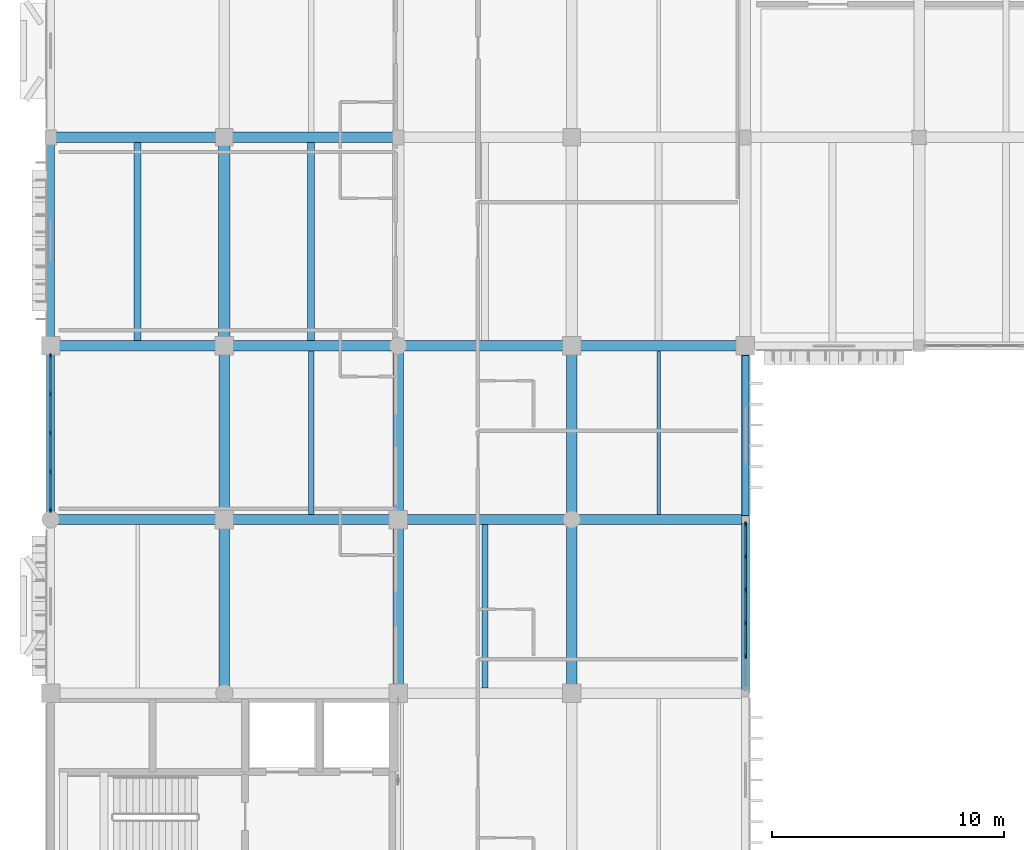
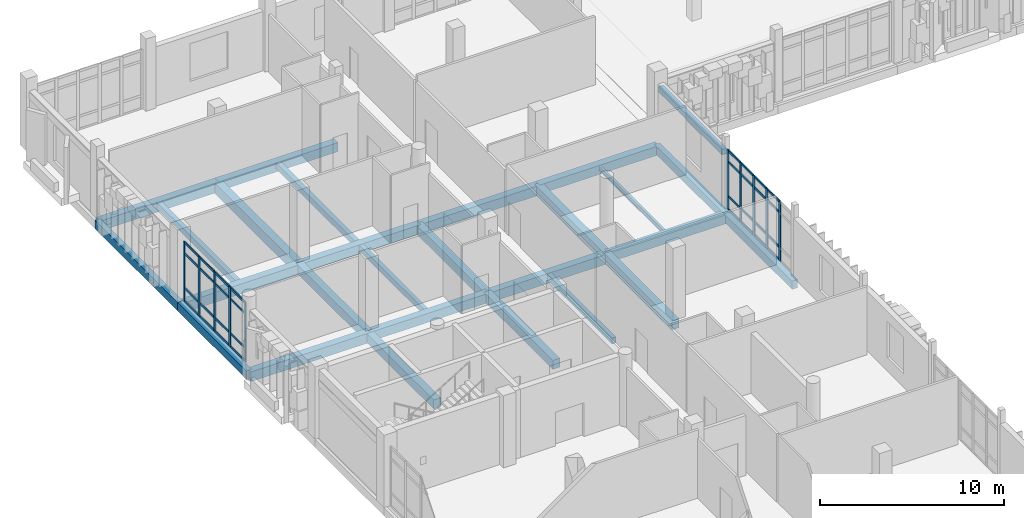
# One storey, part 51 of 131: 42 members, 27 beams, 2 elements without a shape of their own.
"""IFC4 building model written with IfcOpenShell, lengths in metres."""

from ifc_helpers import new_model, si_unit, direction, frame, origin, origin_2d, place, context, subcontext, project, spatial, rectangle, i_section, extrude, material, layer, layer_set, material_profile, profile_set, type_object, element, aggregate, save


model = new_model("IFC4")

# Units and contexts
model_context = context("Model", 3, precision=1e-05, world=origin(), true_north=direction((0.0, 1.0)))
body_context = subcontext(model_context, "Body", "Model", "MODEL_VIEW")
ifc_project = project(units=[si_unit("LENGTHUNIT", "METRE"), si_unit("AREAUNIT", "SQUARE_METRE"), si_unit("VOLUMEUNIT", "CUBIC_METRE"), si_unit("PLANEANGLEUNIT", "RADIAN"), si_unit("MASSUNIT", "GRAM", prefix="KILO")], contexts=[model_context])

# Site, building, storey
site_placement = place(None, origin())
site = spatial("IfcSite", under=ifc_project, at=site_placement, CompositionType="ELEMENT")
building_placement = place(site_placement, origin())
building = spatial("IfcBuilding", under=site, at=building_placement, Name="Dalvernix Boulevard General Hospital", CompositionType="ELEMENT")
storey_placement = place(building_placement, frame((0.0, 0.0, 9.300048828125)))
storey = spatial("IfcBuildingStorey", under=building, at=storey_placement, Name="L02", CompositionType="ELEMENT", Elevation=9.300048828125)

# Beams
ifc_material_1 = material(Name="Concrete C35/45", Category="concrete")
ifc_material_profile_1 = material_profile(ifc_material_1, rectangle(XDim=0.5, YDim=0.699951171875, at=origin_2d()), Name="RCB 500x700")
ifc_profile_set_1 = profile_set([ifc_material_profile_1], Name="Concrete C35/45")
beam_type_1 = type_object("IfcBeamType", Name="BM-B-01-I", PredefinedType="BEAM", material=ifc_profile_set_1)
beam_1_placement = place(storey_placement, frame((7.5, 76.5, -0.670166015625), z_axis=(0.0, 1.0, 0.0), x_axis=(-1.0, 0.0, 0.0)))
element("IfcBeam", 1, at=beam_1_placement, inside=storey, type_object=beam_type_1, Name="L02 N-S girder 2:L-M", PredefinedType="BEAM", context=body_context, shape_type="SweptSolid", body=[
    extrude(rectangle(XDim=0.5, YDim=0.699951171875, at=origin_2d()), origin(), (0.0, 0.0, 1.0), 9.0),
])
ifc_material_profile_2 = material_profile(ifc_material_1, rectangle(XDim=0.449951171875, YDim=0.64990234375, at=origin_2d()), Name="RCB 450x650")
ifc_profile_set_2 = profile_set([ifc_material_profile_2], Name="Concrete C35/45")
beam_type_2 = type_object("IfcBeamType", Name="BM-B-03-I", PredefinedType="BEAM", material=ifc_profile_set_2)
for number, where, z_axis, x_axis, name in (
    (2, (0.0, 69.0, -0.64501953125), (1.0, 0.0, 0.0), (0.0, 1.0, 0.0), "L02 E-W girder K:1-2"),
    (3, (15.0, 69.0, -0.64501953125), (1.0, 0.0, 0.0), (0.0, 1.0, 0.0), "L02 E-W girder K:3-4"),
    (4, (0.0, 76.5, -0.64501953125), (1.0, 0.0, 0.0), (0.0, 1.0, 0.0), "L02 E-W girder L:1-2"),
    (5, (15.0, 76.5, -0.64501953125), (1.0, 0.0, 0.0), (0.0, 1.0, 0.0), "L02 E-W girder L:3-4"),
    (6, (0.0, 85.5, -0.64501953125), (1.0, 0.0, 0.0), (0.0, 1.0, 0.0), "L02 E-W girder M:1-2"),
):
    element("IfcBeam", number, at=place(storey_placement, frame(where, z_axis=z_axis, x_axis=x_axis)), inside=storey, type_object=beam_type_2, Name=name, PredefinedType="BEAM", context=body_context, shape_type="SweptSolid", body=[
        extrude(rectangle(XDim=0.449951171875, YDim=0.64990234375, at=origin_2d()), origin(), (0.0, 0.0, 1.0), 7.5),
    ])
ifc_material_profile_3 = material_profile(ifc_material_1, rectangle(XDim=0.449951171875, YDim=0.60009765625, at=origin_2d()), Name="RCB 450x600")
ifc_profile_set_3 = profile_set([ifc_material_profile_3], Name="Concrete C35/45")
beam_type_3 = type_object("IfcBeamType", Name="BM-B-04-I", PredefinedType="BEAM", material=ifc_profile_set_3)
for number, where, z_axis, x_axis, name in (
    (7, (7.5, 69.0, -0.6201171875), (1.0, 0.0, 0.0), (0.0, 1.0, 0.0), "L02 E-W girder K:2-3"),
    (8, (22.5, 69.0, -0.6201171875), (1.0, 0.0, 0.0), (0.0, 1.0, 0.0), "L02 E-W girder K:4-5"),
    (9, (7.5, 76.5, -0.6201171875), (1.0, 0.0, 0.0), (0.0, 1.0, 0.0), "L02 E-W girder L:2-3"),
    (10, (22.5, 76.5, -0.6201171875), (1.0, 0.0, 0.0), (0.0, 1.0, 0.0), "L02 E-W girder L:4-5"),
    (11, (7.5, 85.5, -0.6201171875), (1.0, 0.0, 0.0), (0.0, 1.0, 0.0), "L02 E-W girder M:2-3"),
    (12, (7.5, 61.5, -0.6201171875), (0.0, 1.0, 0.0), (-1.0, 0.0, 0.0), "L02 N-S girder 2:J-K"),
    (13, (7.5, 69.0, -0.6201171875), (0.0, 1.0, 0.0), (-1.0, 0.0, 0.0), "L02 N-S girder 2:K-L"),
    (14, (15.0, 61.5, -0.6201171875), (0.0, 1.0, 0.0), (-1.0, 0.0, 0.0), "L02 N-S girder 3:J-K"),
    (15, (15.0, 69.0, -0.6201171875), (0.0, 1.0, 0.0), (-1.0, 0.0, 0.0), "L02 N-S girder 3:K-L"),
    (16, (22.5, 61.5, -0.6201171875), (0.0, 1.0, 0.0), (-1.0, 0.0, 0.0), "L02 N-S girder 4:J-K"),
    (17, (22.5, 69.0, -0.6201171875), (0.0, 1.0, 0.0), (-1.0, 0.0, 0.0), "L02 N-S girder 4:K-L"),
):
    element("IfcBeam", number, at=place(storey_placement, frame(where, z_axis=z_axis, x_axis=x_axis)), inside=storey, type_object=beam_type_3, Name=name, PredefinedType="BEAM", context=body_context, shape_type="SweptSolid", body=[
        extrude(rectangle(XDim=0.449951171875, YDim=0.60009765625, at=origin_2d()), origin(), (0.0, 0.0, 1.0), 7.5),
    ])
ifc_material_profile_4 = material_profile(ifc_material_1, rectangle(XDim=0.300048828125, YDim=0.39990234375, at=origin_2d()), Name="RCB 300x400")
ifc_profile_set_4 = profile_set([ifc_material_profile_4], Name="Concrete C35/45")
beam_type_4 = type_object("IfcBeamType", Name="BM-JB-01", PredefinedType="JOIST", material=ifc_profile_set_4)
for number, where, z_axis, x_axis, name in (
    (18, (3.75, 76.72509765625, -0.52001953125), (0.0, 1.0, 0.0), (-1.0, 0.0, 0.0), "L02 secondary floor beam 1-L"),
    (19, (11.25, 76.72509765625, -0.52001953125), (0.0, 1.0, 0.0), (-1.0, 0.0, 0.0), "L02 secondary floor beam 2-L"),
):
    element("IfcBeam", number, at=place(storey_placement, frame(where, z_axis=z_axis, x_axis=x_axis)), inside=storey, type_object=beam_type_4, Name=name, PredefinedType="JOIST", context=body_context, shape_type="SweptSolid", body=[
        extrude(rectangle(XDim=0.300048828125, YDim=0.39990234375, at=origin_2d()), origin(), (0.0, 0.0, 1.0), 8.5498046875),
    ])
ifc_material_profile_5 = material_profile(ifc_material_1, rectangle(XDim=0.25, YDim=0.39990234375, at=origin_2d()), Name="RCB 250x400")
ifc_profile_set_5 = profile_set([ifc_material_profile_5], Name="Concrete C35/45")
beam_type_5 = type_object("IfcBeamType", Name="BM-JB-02", PredefinedType="JOIST", material=ifc_profile_set_5)
for number, where, z_axis, x_axis, name in (
    (20, (11.25, 69.22509765625, -0.52001953125), (0.0, 1.0, 0.0), (-1.0, 0.0, 0.0), "L02 secondary floor beam 2-K"),
    (21, (18.75, 61.72509765625, -0.52001953125), (0.0, 1.0, 0.0), (-1.0, 0.0, 0.0), "L02 secondary floor beam 3-J"),
):
    element("IfcBeam", number, at=place(storey_placement, frame(where, z_axis=z_axis, x_axis=x_axis)), inside=storey, type_object=beam_type_5, Name=name, PredefinedType="JOIST", context=body_context, shape_type="SweptSolid", body=[
        extrude(rectangle(XDim=0.25, YDim=0.39990234375, at=origin_2d()), origin(), (0.0, 0.0, 1.0), 7.0498046875),
    ])
ifc_material_2 = material(Name="Steel S355", Category="steel")
ifc_material_profile_6 = material_profile(ifc_material_2, i_section(OverallWidth=0.14990234375, OverallDepth=0.300048828125, WebThickness=0.007080078125, FlangeThickness=0.0107421875, FilletRadius=0.014892578125, at=origin_2d()), Name="IPE 300")
ifc_profile_set_6 = profile_set([ifc_material_profile_6], Name="Steel S355")
beam_type_6 = type_object("IfcBeamType", Name="BM-JB-03", PredefinedType="JOIST", material=ifc_profile_set_6)
beam_2_placement = place(storey_placement, frame((26.25, 69.22509765625, -0.469970703125), z_axis=(0.0, 1.0, 0.0), x_axis=(-1.0, 0.0, 0.0)))
element("IfcBeam", 22, at=beam_2_placement, inside=storey, type_object=beam_type_6, Name="L02 secondary floor beam 4-K", PredefinedType="JOIST", context=body_context, shape_type="SweptSolid", body=[
    extrude(i_section(OverallWidth=0.14990234375, OverallDepth=0.300048828125, WebThickness=0.007080078125, FlangeThickness=0.0107421875, FilletRadius=0.014892578125, at=origin_2d()), origin(), (0.0, 0.0, 1.0), 7.0498046875),
])
ifc_material_3 = material(Name="Precast concrete C40/50", Category="concrete")
ifc_material_profile_7 = material_profile(ifc_material_3, rectangle(XDim=0.300048828125, YDim=0.3798828125, at=origin_2d()), Name="RCL 300x380")
ifc_profile_set_7 = profile_set([ifc_material_profile_7], Name="Precast concrete C40/50")
beam_type_7 = type_object("IfcBeamType", Name="BM-LB-02", PredefinedType="LINTEL", material=ifc_profile_set_7)
beam_3_placement = place(storey_placement, frame((30.0, 76.090087890625, 3.58984375), z_axis=(0.0, -1.0, 0.0), x_axis=(1.0, 0.0, 0.0)))
element("IfcBeam", 23, at=beam_3_placement, inside=storey, type_object=beam_type_7, Name="L02 precast window lintel E 4-9", PredefinedType="LINTEL", context=body_context, shape_type="SweptSolid", body=[
    extrude(rectangle(XDim=0.300048828125, YDim=0.3798828125, at=origin_2d()), origin(), (0.0, 0.0, 1.0), 6.920166015625),
])
ifc_material_profile_8 = material_profile(ifc_material_1, rectangle(XDim=0.35009765625, YDim=0.550048828125, at=origin_2d()), Name="RCB 350x550")
ifc_profile_set_8 = profile_set([ifc_material_profile_8], Name="Concrete C35/45")
beam_type_8 = type_object("IfcBeamType", Name="BM-SB-01-E", PredefinedType="SPANDREL", material=ifc_profile_set_8)
beam_4_placement = place(storey_placement, frame((0.0, 69.0, -0.594970703125), z_axis=(0.0, 1.0, 0.0), x_axis=(-1.0, 0.0, 0.0)))
element("IfcBeam", 24, at=beam_4_placement, inside=storey, type_object=beam_type_8, Name="L02 N-S girder 1:K-L", PredefinedType="SPANDREL", context=body_context, shape_type="SweptSolid", body=[
    extrude(rectangle(XDim=0.35009765625, YDim=0.550048828125, at=origin_2d()), origin(), (0.0, 0.0, 1.0), 7.5),
])
beam_5_placement = place(storey_placement, frame((0.0, 76.5, -0.594970703125), z_axis=(0.0, 1.0, 0.0), x_axis=(-1.0, 0.0, 0.0)))
element("IfcBeam", 25, at=beam_5_placement, inside=storey, type_object=beam_type_8, Name="L02 N-S girder 1:L-M", PredefinedType="SPANDREL", context=body_context, shape_type="SweptSolid", body=[
    extrude(rectangle(XDim=0.35009765625, YDim=0.550048828125, at=origin_2d()), origin(), (0.0, 0.0, 1.0), 9.0),
])
for number, where, z_axis, x_axis, name in (
    (26, (30.0, 61.5, -0.594970703125), (0.0, 1.0, 0.0), (-1.0, 0.0, 0.0), "L02 N-S girder 5:J-K"),
    (27, (30.0, 69.0, -0.594970703125), (0.0, 1.0, 0.0), (-1.0, 0.0, 0.0), "L02 N-S girder 5:K-L"),
):
    element("IfcBeam", number, at=place(storey_placement, frame(where, z_axis=z_axis, x_axis=x_axis)), inside=storey, type_object=beam_type_8, Name=name, PredefinedType="SPANDREL", context=body_context, shape_type="SweptSolid", body=[
        extrude(rectangle(XDim=0.35009765625, YDim=0.550048828125, at=origin_2d()), origin(), (0.0, 0.0, 1.0), 7.5),
    ])

# Curtain wall, members
ifc_material_4 = material(Name="Thermally broken aluminium and solar-control glass curtain wall", Category="aluminium")
ifc_layer_1 = layer(ifc_material_4, 0.199951171875)
ifc_layer_set_1 = layer_set([ifc_layer_1], Name="Thermally broken aluminium and solar-control glass curtain wall (CW-CW-C-67x40)")
curtain_wall_type_1 = type_object("IfcCurtainWallType", Name="CW-CW-C-67x40", PredefinedType="USERDEFINED", material=ifc_layer_set_1)
curtain_wall_1_placement = place(storey_placement, origin())
curtain_wall_1 = element("IfcCurtainWall", 28, at=curtain_wall_1_placement, inside=storey, type_object=curtain_wall_type_1, Name="L02 curtain wall CW-C-67x40 0-9", ObjectType="GLAZED FACADE", PredefinedType="USERDEFINED")
ifc_material_5 = material(Name="Aluminium EN AW-6060", Category="aluminium")
ifc_material_profile_9 = material_profile(ifc_material_5, rectangle(XDim=0.070068359375, YDim=0.199951171875, at=origin_2d()), Name="ALU MULL 70x200")
ifc_profile_set_9 = profile_set([ifc_material_profile_9], Name="Aluminium EN AW-6060")
member_type_1 = type_object("IfcMemberType", Name="MEM-CW-M3", PredefinedType="MULLION", material=ifc_profile_set_9)
member_1_placement = place(storey_placement, frame((0.0, 69.419921875, 0.0), z_axis=(0.0, 0.0, 1.0), x_axis=(-1.0, 0.0, 0.0)))
member_1 = element("IfcMember", 29, at=member_1_placement, type_object=member_type_1, Name="CW-C-67x40 mullion 1", PredefinedType="MULLION", context=body_context, shape_type="SweptSolid", body=[
    extrude(rectangle(XDim=0.070068359375, YDim=0.199951171875, at=origin_2d()), origin(), (0.0, 0.0, 1.0), 3.949951171875),
])
member_2_placement = place(storey_placement, frame((0.0, 71.061279296875, 0.0), z_axis=(0.0, 0.0, 1.0), x_axis=(-1.0, 0.0, 0.0)))
member_2 = element("IfcMember", 30, at=member_2_placement, type_object=member_type_1, Name="CW-C-67x40 mullion 2", PredefinedType="MULLION", context=body_context, shape_type="SweptSolid", body=[
    extrude(rectangle(XDim=0.070068359375, YDim=0.199951171875, at=origin_2d()), origin(), (0.0, 0.0, 1.0), 3.949951171875),
])
member_3_placement = place(storey_placement, frame((0.0, 72.737548828125, 0.0), z_axis=(0.0, 0.0, 1.0), x_axis=(-1.0, 0.0, 0.0)))
member_3 = element("IfcMember", 31, at=member_3_placement, type_object=member_type_1, Name="CW-C-67x40 mullion 3", PredefinedType="MULLION", context=body_context, shape_type="SweptSolid", body=[
    extrude(rectangle(XDim=0.070068359375, YDim=0.199951171875, at=origin_2d()), origin(), (0.0, 0.0, 1.0), 3.949951171875),
])
member_4_placement = place(storey_placement, frame((0.0, 74.413818359375, 0.0), z_axis=(0.0, 0.0, 1.0), x_axis=(-1.0, 0.0, 0.0)))
member_4 = element("IfcMember", 32, at=member_4_placement, type_object=member_type_1, Name="CW-C-67x40 mullion 4", PredefinedType="MULLION", context=body_context, shape_type="SweptSolid", body=[
    extrude(rectangle(XDim=0.070068359375, YDim=0.199951171875, at=origin_2d()), origin(), (0.0, 0.0, 1.0), 3.949951171875),
])
member_5_placement = place(storey_placement, frame((0.0, 76.054931640625, 0.0), z_axis=(0.0, 0.0, 1.0), x_axis=(-1.0, 0.0, 0.0)))
member_5 = element("IfcMember", 33, at=member_5_placement, type_object=member_type_1, Name="CW-C-67x40 mullion 5", PredefinedType="MULLION", context=body_context, shape_type="SweptSolid", body=[
    extrude(rectangle(XDim=0.070068359375, YDim=0.199951171875, at=origin_2d()), origin(), (0.0, 0.0, 1.0), 3.949951171875),
])

ifc_layer_2 = layer(ifc_material_4, 0.199951171875)
ifc_layer_set_2 = layer_set([ifc_layer_2], Name="Thermally broken aluminium and solar-control glass curtain wall (CW-CW-C-72x40)")
curtain_wall_type_2 = type_object("IfcCurtainWallType", Name="CW-CW-C-72x40", PredefinedType="USERDEFINED", material=ifc_layer_set_2)
curtain_wall_2_placement = place(storey_placement, origin())
curtain_wall_2 = element("IfcCurtainWall", 34, at=curtain_wall_2_placement, inside=storey, type_object=curtain_wall_type_2, Name="L02 curtain wall CW-C-72x40 4-8", ObjectType="GLAZED FACADE", PredefinedType="USERDEFINED")
member_6_placement = place(storey_placement, frame((30.0, 68.794921875, 0.0), z_axis=(0.0, 0.0, 1.0), x_axis=(1.0, 0.0, 0.0)))
member_6 = element("IfcMember", 35, at=member_6_placement, type_object=member_type_1, Name="CW-C-72x40 mullion 1", PredefinedType="MULLION", context=body_context, shape_type="SweptSolid", body=[
    extrude(rectangle(XDim=0.070068359375, YDim=0.199951171875, at=origin_2d()), origin(), (0.0, 0.0, 1.0), 3.949951171875),
])
member_7_placement = place(storey_placement, frame((30.0, 67.39794921875, 0.0), z_axis=(0.0, 0.0, 1.0), x_axis=(1.0, 0.0, 0.0)))
member_7 = element("IfcMember", 36, at=member_7_placement, type_object=member_type_1, Name="CW-C-72x40 mullion 2", PredefinedType="MULLION", context=body_context, shape_type="SweptSolid", body=[
    extrude(rectangle(XDim=0.070068359375, YDim=0.199951171875, at=origin_2d()), origin(), (0.0, 0.0, 1.0), 3.949951171875),
])
member_8_placement = place(storey_placement, frame((30.0, 65.966064453125, 0.0), z_axis=(0.0, 0.0, 1.0), x_axis=(1.0, 0.0, 0.0)))
member_8 = element("IfcMember", 37, at=member_8_placement, type_object=member_type_1, Name="CW-C-72x40 mullion 3", PredefinedType="MULLION", context=body_context, shape_type="SweptSolid", body=[
    extrude(rectangle(XDim=0.070068359375, YDim=0.199951171875, at=origin_2d()), origin(), (0.0, 0.0, 1.0), 3.949951171875),
])
member_9_placement = place(storey_placement, frame((30.0, 64.533935546875, 0.0), z_axis=(0.0, 0.0, 1.0), x_axis=(1.0, 0.0, 0.0)))
member_9 = element("IfcMember", 38, at=member_9_placement, type_object=member_type_1, Name="CW-C-72x40 mullion 4", PredefinedType="MULLION", context=body_context, shape_type="SweptSolid", body=[
    extrude(rectangle(XDim=0.070068359375, YDim=0.199951171875, at=origin_2d()), origin(), (0.0, 0.0, 1.0), 3.949951171875),
])
member_10_placement = place(storey_placement, frame((30.0, 63.10205078125, 0.0), z_axis=(0.0, 0.0, 1.0), x_axis=(1.0, 0.0, 0.0)))
member_10 = element("IfcMember", 39, at=member_10_placement, type_object=member_type_1, Name="CW-C-72x40 mullion 5", PredefinedType="MULLION", context=body_context, shape_type="SweptSolid", body=[
    extrude(rectangle(XDim=0.070068359375, YDim=0.199951171875, at=origin_2d()), origin(), (0.0, 0.0, 1.0), 3.949951171875),
])

# Member
ifc_material_profile_10 = material_profile(ifc_material_5, rectangle(XDim=0.070068359375, YDim=0.14990234375, at=origin_2d()), Name="ALU TRAN 70x150")
ifc_profile_set_10 = profile_set([ifc_material_profile_10], Name="Aluminium EN AW-6060")
member_type_2 = type_object("IfcMemberType", Name="MEM-CW-T3", PredefinedType="USERDEFINED", material=ifc_profile_set_10)
member_11_placement = place(storey_placement, frame((0.0, 69.455078125, 0.034912109375), z_axis=(0.0, 1.0, 0.0), x_axis=(-1.0, 0.0, 0.0)))
member_11 = element("IfcMember", 40, at=member_11_placement, type_object=member_type_2, Name="CW-C-67x40 transom 1.1", ObjectType="TRANSOM", PredefinedType="USERDEFINED", context=body_context, shape_type="SweptSolid", body=[
    extrude(rectangle(XDim=0.070068359375, YDim=0.14990234375, at=origin_2d()), origin(), (0.0, 0.0, 1.0), 1.5712890625),
])

member_12_placement = place(storey_placement, frame((0.0, 69.455078125, 0.89990234375), z_axis=(0.0, 1.0, 0.0), x_axis=(-1.0, 0.0, 0.0)))
member_12 = element("IfcMember", 41, at=member_12_placement, type_object=member_type_2, Name="CW-C-67x40 transom 1.2", ObjectType="TRANSOM", PredefinedType="USERDEFINED", context=body_context, shape_type="SweptSolid", body=[
    extrude(rectangle(XDim=0.070068359375, YDim=0.14990234375, at=origin_2d()), origin(), (0.0, 0.0, 1.0), 1.5712890625),
])

member_13_placement = place(storey_placement, frame((0.0, 69.455078125, 3.199951171875), z_axis=(0.0, 1.0, 0.0), x_axis=(-1.0, 0.0, 0.0)))
member_13 = element("IfcMember", 42, at=member_13_placement, type_object=member_type_2, Name="CW-C-67x40 transom 1.3", ObjectType="TRANSOM", PredefinedType="USERDEFINED", context=body_context, shape_type="SweptSolid", body=[
    extrude(rectangle(XDim=0.070068359375, YDim=0.14990234375, at=origin_2d()), origin(), (0.0, 0.0, 1.0), 1.5712890625),
])

member_14_placement = place(storey_placement, frame((0.0, 69.455078125, 3.9150390625), z_axis=(0.0, 1.0, 0.0), x_axis=(-1.0, 0.0, 0.0)))
member_14 = element("IfcMember", 43, at=member_14_placement, type_object=member_type_2, Name="CW-C-67x40 transom 1.4", ObjectType="TRANSOM", PredefinedType="USERDEFINED", context=body_context, shape_type="SweptSolid", body=[
    extrude(rectangle(XDim=0.070068359375, YDim=0.14990234375, at=origin_2d()), origin(), (0.0, 0.0, 1.0), 1.5712890625),
])

member_15_placement = place(storey_placement, frame((0.0, 71.09619140625, 0.034912109375), z_axis=(0.0, 1.0, 0.0), x_axis=(-1.0, 0.0, 0.0)))
member_15 = element("IfcMember", 44, at=member_15_placement, type_object=member_type_2, Name="CW-C-67x40 transom 2.1", ObjectType="TRANSOM", PredefinedType="USERDEFINED", context=body_context, shape_type="SweptSolid", body=[
    extrude(rectangle(XDim=0.070068359375, YDim=0.14990234375, at=origin_2d()), origin(), (0.0, 0.0, 1.0), 1.606201171875),
])

member_16_placement = place(storey_placement, frame((0.0, 71.09619140625, 0.89990234375), z_axis=(0.0, 1.0, 0.0), x_axis=(-1.0, 0.0, 0.0)))
member_16 = element("IfcMember", 45, at=member_16_placement, type_object=member_type_2, Name="CW-C-67x40 transom 2.2", ObjectType="TRANSOM", PredefinedType="USERDEFINED", context=body_context, shape_type="SweptSolid", body=[
    extrude(rectangle(XDim=0.070068359375, YDim=0.14990234375, at=origin_2d()), origin(), (0.0, 0.0, 1.0), 1.606201171875),
])

member_17_placement = place(storey_placement, frame((0.0, 71.09619140625, 3.199951171875), z_axis=(0.0, 1.0, 0.0), x_axis=(-1.0, 0.0, 0.0)))
member_17 = element("IfcMember", 46, at=member_17_placement, type_object=member_type_2, Name="CW-C-67x40 transom 2.3", ObjectType="TRANSOM", PredefinedType="USERDEFINED", context=body_context, shape_type="SweptSolid", body=[
    extrude(rectangle(XDim=0.070068359375, YDim=0.14990234375, at=origin_2d()), origin(), (0.0, 0.0, 1.0), 1.606201171875),
])

member_18_placement = place(storey_placement, frame((0.0, 71.09619140625, 3.9150390625), z_axis=(0.0, 1.0, 0.0), x_axis=(-1.0, 0.0, 0.0)))
member_18 = element("IfcMember", 47, at=member_18_placement, type_object=member_type_2, Name="CW-C-67x40 transom 2.4", ObjectType="TRANSOM", PredefinedType="USERDEFINED", context=body_context, shape_type="SweptSolid", body=[
    extrude(rectangle(XDim=0.070068359375, YDim=0.14990234375, at=origin_2d()), origin(), (0.0, 0.0, 1.0), 1.606201171875),
])

member_19_placement = place(storey_placement, frame((0.0, 72.7724609375, 0.034912109375), z_axis=(0.0, 1.0, 0.0), x_axis=(-1.0, 0.0, 0.0)))
member_19 = element("IfcMember", 48, at=member_19_placement, type_object=member_type_2, Name="CW-C-67x40 transom 3.1", ObjectType="TRANSOM", PredefinedType="USERDEFINED", context=body_context, shape_type="SweptSolid", body=[
    extrude(rectangle(XDim=0.070068359375, YDim=0.14990234375, at=origin_2d()), origin(), (0.0, 0.0, 1.0), 1.606201171875),
])

member_20_placement = place(storey_placement, frame((0.0, 72.7724609375, 0.89990234375), z_axis=(0.0, 1.0, 0.0), x_axis=(-1.0, 0.0, 0.0)))
member_20 = element("IfcMember", 49, at=member_20_placement, type_object=member_type_2, Name="CW-C-67x40 transom 3.2", ObjectType="TRANSOM", PredefinedType="USERDEFINED", context=body_context, shape_type="SweptSolid", body=[
    extrude(rectangle(XDim=0.070068359375, YDim=0.14990234375, at=origin_2d()), origin(), (0.0, 0.0, 1.0), 1.606201171875),
])

member_21_placement = place(storey_placement, frame((0.0, 72.7724609375, 3.199951171875), z_axis=(0.0, 1.0, 0.0), x_axis=(-1.0, 0.0, 0.0)))
member_21 = element("IfcMember", 50, at=member_21_placement, type_object=member_type_2, Name="CW-C-67x40 transom 3.3", ObjectType="TRANSOM", PredefinedType="USERDEFINED", context=body_context, shape_type="SweptSolid", body=[
    extrude(rectangle(XDim=0.070068359375, YDim=0.14990234375, at=origin_2d()), origin(), (0.0, 0.0, 1.0), 1.606201171875),
])

member_22_placement = place(storey_placement, frame((0.0, 72.7724609375, 3.9150390625), z_axis=(0.0, 1.0, 0.0), x_axis=(-1.0, 0.0, 0.0)))
member_22 = element("IfcMember", 51, at=member_22_placement, type_object=member_type_2, Name="CW-C-67x40 transom 3.4", ObjectType="TRANSOM", PredefinedType="USERDEFINED", context=body_context, shape_type="SweptSolid", body=[
    extrude(rectangle(XDim=0.070068359375, YDim=0.14990234375, at=origin_2d()), origin(), (0.0, 0.0, 1.0), 1.606201171875),
])

member_23_placement = place(storey_placement, frame((0.0, 74.44873046875, 0.034912109375), z_axis=(0.0, 1.0, 0.0), x_axis=(-1.0, 0.0, 0.0)))
member_23 = element("IfcMember", 52, at=member_23_placement, type_object=member_type_2, Name="CW-C-67x40 transom 4.1", ObjectType="TRANSOM", PredefinedType="USERDEFINED", context=body_context, shape_type="SweptSolid", body=[
    extrude(rectangle(XDim=0.070068359375, YDim=0.14990234375, at=origin_2d()), origin(), (0.0, 0.0, 1.0), 1.5712890625),
])

member_24_placement = place(storey_placement, frame((0.0, 74.44873046875, 0.89990234375), z_axis=(0.0, 1.0, 0.0), x_axis=(-1.0, 0.0, 0.0)))
member_24 = element("IfcMember", 53, at=member_24_placement, type_object=member_type_2, Name="CW-C-67x40 transom 4.2", ObjectType="TRANSOM", PredefinedType="USERDEFINED", context=body_context, shape_type="SweptSolid", body=[
    extrude(rectangle(XDim=0.070068359375, YDim=0.14990234375, at=origin_2d()), origin(), (0.0, 0.0, 1.0), 1.5712890625),
])

member_25_placement = place(storey_placement, frame((0.0, 74.44873046875, 3.199951171875), z_axis=(0.0, 1.0, 0.0), x_axis=(-1.0, 0.0, 0.0)))
member_25 = element("IfcMember", 54, at=member_25_placement, type_object=member_type_2, Name="CW-C-67x40 transom 4.3", ObjectType="TRANSOM", PredefinedType="USERDEFINED", context=body_context, shape_type="SweptSolid", body=[
    extrude(rectangle(XDim=0.070068359375, YDim=0.14990234375, at=origin_2d()), origin(), (0.0, 0.0, 1.0), 1.5712890625),
])

member_26_placement = place(storey_placement, frame((0.0, 74.44873046875, 3.9150390625), z_axis=(0.0, 1.0, 0.0), x_axis=(-1.0, 0.0, 0.0)))
member_26 = element("IfcMember", 55, at=member_26_placement, type_object=member_type_2, Name="CW-C-67x40 transom 4.4", ObjectType="TRANSOM", PredefinedType="USERDEFINED", context=body_context, shape_type="SweptSolid", body=[
    extrude(rectangle(XDim=0.070068359375, YDim=0.14990234375, at=origin_2d()), origin(), (0.0, 0.0, 1.0), 1.5712890625),
])

aggregate(curtain_wall_1, [member_1, member_2, member_3, member_4, member_5, member_11, member_12, member_13, member_14, member_15, member_16, member_17, member_18, member_19, member_20, member_21, member_22, member_23, member_24, member_25, member_26])

member_27_placement = place(storey_placement, frame((30.0, 68.760009765625, 0.034912109375), z_axis=(0.0, -1.0, 0.0), x_axis=(1.0, 0.0, 0.0)))
member_27 = element("IfcMember", 56, at=member_27_placement, type_object=member_type_2, Name="CW-C-72x40 transom 1.1", ObjectType="TRANSOM", PredefinedType="USERDEFINED", context=body_context, shape_type="SweptSolid", body=[
    extrude(rectangle(XDim=0.070068359375, YDim=0.14990234375, at=origin_2d()), origin(), (0.0, 0.0, 1.0), 1.326904296875),
])

member_28_placement = place(storey_placement, frame((30.0, 68.760009765625, 0.89990234375), z_axis=(0.0, -1.0, 0.0), x_axis=(1.0, 0.0, 0.0)))
member_28 = element("IfcMember", 57, at=member_28_placement, type_object=member_type_2, Name="CW-C-72x40 transom 1.2", ObjectType="TRANSOM", PredefinedType="USERDEFINED", context=body_context, shape_type="SweptSolid", body=[
    extrude(rectangle(XDim=0.070068359375, YDim=0.14990234375, at=origin_2d()), origin(), (0.0, 0.0, 1.0), 1.326904296875),
])

member_29_placement = place(storey_placement, frame((30.0, 68.760009765625, 3.199951171875), z_axis=(0.0, -1.0, 0.0), x_axis=(1.0, 0.0, 0.0)))
member_29 = element("IfcMember", 58, at=member_29_placement, type_object=member_type_2, Name="CW-C-72x40 transom 1.3", ObjectType="TRANSOM", PredefinedType="USERDEFINED", context=body_context, shape_type="SweptSolid", body=[
    extrude(rectangle(XDim=0.070068359375, YDim=0.14990234375, at=origin_2d()), origin(), (0.0, 0.0, 1.0), 1.326904296875),
])

member_30_placement = place(storey_placement, frame((30.0, 68.760009765625, 3.9150390625), z_axis=(0.0, -1.0, 0.0), x_axis=(1.0, 0.0, 0.0)))
member_30 = element("IfcMember", 59, at=member_30_placement, type_object=member_type_2, Name="CW-C-72x40 transom 1.4", ObjectType="TRANSOM", PredefinedType="USERDEFINED", context=body_context, shape_type="SweptSolid", body=[
    extrude(rectangle(XDim=0.070068359375, YDim=0.14990234375, at=origin_2d()), origin(), (0.0, 0.0, 1.0), 1.326904296875),
])

member_31_placement = place(storey_placement, frame((30.0, 67.363037109375, 0.034912109375), z_axis=(0.0, -1.0, 0.0), x_axis=(1.0, 0.0, 0.0)))
member_31 = element("IfcMember", 60, at=member_31_placement, type_object=member_type_2, Name="CW-C-72x40 transom 2.1", ObjectType="TRANSOM", PredefinedType="USERDEFINED", context=body_context, shape_type="SweptSolid", body=[
    extrude(rectangle(XDim=0.070068359375, YDim=0.14990234375, at=origin_2d()), origin(), (0.0, 0.0, 1.0), 1.362060546875),
])

member_32_placement = place(storey_placement, frame((30.0, 67.363037109375, 0.89990234375), z_axis=(0.0, -1.0, 0.0), x_axis=(1.0, 0.0, 0.0)))
member_32 = element("IfcMember", 61, at=member_32_placement, type_object=member_type_2, Name="CW-C-72x40 transom 2.2", ObjectType="TRANSOM", PredefinedType="USERDEFINED", context=body_context, shape_type="SweptSolid", body=[
    extrude(rectangle(XDim=0.070068359375, YDim=0.14990234375, at=origin_2d()), origin(), (0.0, 0.0, 1.0), 1.362060546875),
])

member_33_placement = place(storey_placement, frame((30.0, 67.363037109375, 3.199951171875), z_axis=(0.0, -1.0, 0.0), x_axis=(1.0, 0.0, 0.0)))
member_33 = element("IfcMember", 62, at=member_33_placement, type_object=member_type_2, Name="CW-C-72x40 transom 2.3", ObjectType="TRANSOM", PredefinedType="USERDEFINED", context=body_context, shape_type="SweptSolid", body=[
    extrude(rectangle(XDim=0.070068359375, YDim=0.14990234375, at=origin_2d()), origin(), (0.0, 0.0, 1.0), 1.362060546875),
])

member_34_placement = place(storey_placement, frame((30.0, 67.363037109375, 3.9150390625), z_axis=(0.0, -1.0, 0.0), x_axis=(1.0, 0.0, 0.0)))
member_34 = element("IfcMember", 63, at=member_34_placement, type_object=member_type_2, Name="CW-C-72x40 transom 2.4", ObjectType="TRANSOM", PredefinedType="USERDEFINED", context=body_context, shape_type="SweptSolid", body=[
    extrude(rectangle(XDim=0.070068359375, YDim=0.14990234375, at=origin_2d()), origin(), (0.0, 0.0, 1.0), 1.362060546875),
])

member_35_placement = place(storey_placement, frame((30.0, 65.930908203125, 0.034912109375), z_axis=(0.0, -1.0, 0.0), x_axis=(1.0, 0.0, 0.0)))
member_35 = element("IfcMember", 64, at=member_35_placement, type_object=member_type_2, Name="CW-C-72x40 transom 3.1", ObjectType="TRANSOM", PredefinedType="USERDEFINED", context=body_context, shape_type="SweptSolid", body=[
    extrude(rectangle(XDim=0.070068359375, YDim=0.14990234375, at=origin_2d()), origin(), (0.0, 0.0, 1.0), 1.36181640625),
])

member_36_placement = place(storey_placement, frame((30.0, 65.930908203125, 0.89990234375), z_axis=(0.0, -1.0, 0.0), x_axis=(1.0, 0.0, 0.0)))
member_36 = element("IfcMember", 65, at=member_36_placement, type_object=member_type_2, Name="CW-C-72x40 transom 3.2", ObjectType="TRANSOM", PredefinedType="USERDEFINED", context=body_context, shape_type="SweptSolid", body=[
    extrude(rectangle(XDim=0.070068359375, YDim=0.14990234375, at=origin_2d()), origin(), (0.0, 0.0, 1.0), 1.36181640625),
])

member_37_placement = place(storey_placement, frame((30.0, 65.930908203125, 3.199951171875), z_axis=(0.0, -1.0, 0.0), x_axis=(1.0, 0.0, 0.0)))
member_37 = element("IfcMember", 66, at=member_37_placement, type_object=member_type_2, Name="CW-C-72x40 transom 3.3", ObjectType="TRANSOM", PredefinedType="USERDEFINED", context=body_context, shape_type="SweptSolid", body=[
    extrude(rectangle(XDim=0.070068359375, YDim=0.14990234375, at=origin_2d()), origin(), (0.0, 0.0, 1.0), 1.36181640625),
])

member_38_placement = place(storey_placement, frame((30.0, 65.930908203125, 3.9150390625), z_axis=(0.0, -1.0, 0.0), x_axis=(1.0, 0.0, 0.0)))
member_38 = element("IfcMember", 67, at=member_38_placement, type_object=member_type_2, Name="CW-C-72x40 transom 3.4", ObjectType="TRANSOM", PredefinedType="USERDEFINED", context=body_context, shape_type="SweptSolid", body=[
    extrude(rectangle(XDim=0.070068359375, YDim=0.14990234375, at=origin_2d()), origin(), (0.0, 0.0, 1.0), 1.36181640625),
])

member_39_placement = place(storey_placement, frame((30.0, 64.4990234375, 0.034912109375), z_axis=(0.0, -1.0, 0.0), x_axis=(1.0, 0.0, 0.0)))
member_39 = element("IfcMember", 68, at=member_39_placement, type_object=member_type_2, Name="CW-C-72x40 transom 4.1", ObjectType="TRANSOM", PredefinedType="USERDEFINED", context=body_context, shape_type="SweptSolid", body=[
    extrude(rectangle(XDim=0.070068359375, YDim=0.14990234375, at=origin_2d()), origin(), (0.0, 0.0, 1.0), 1.362060546875),
])

member_40_placement = place(storey_placement, frame((30.0, 64.4990234375, 0.89990234375), z_axis=(0.0, -1.0, 0.0), x_axis=(1.0, 0.0, 0.0)))
member_40 = element("IfcMember", 69, at=member_40_placement, type_object=member_type_2, Name="CW-C-72x40 transom 4.2", ObjectType="TRANSOM", PredefinedType="USERDEFINED", context=body_context, shape_type="SweptSolid", body=[
    extrude(rectangle(XDim=0.070068359375, YDim=0.14990234375, at=origin_2d()), origin(), (0.0, 0.0, 1.0), 1.362060546875),
])

member_41_placement = place(storey_placement, frame((30.0, 64.4990234375, 3.199951171875), z_axis=(0.0, -1.0, 0.0), x_axis=(1.0, 0.0, 0.0)))
member_41 = element("IfcMember", 70, at=member_41_placement, type_object=member_type_2, Name="CW-C-72x40 transom 4.3", ObjectType="TRANSOM", PredefinedType="USERDEFINED", context=body_context, shape_type="SweptSolid", body=[
    extrude(rectangle(XDim=0.070068359375, YDim=0.14990234375, at=origin_2d()), origin(), (0.0, 0.0, 1.0), 1.362060546875),
])

member_42_placement = place(storey_placement, frame((30.0, 64.4990234375, 3.9150390625), z_axis=(0.0, -1.0, 0.0), x_axis=(1.0, 0.0, 0.0)))
member_42 = element("IfcMember", 71, at=member_42_placement, type_object=member_type_2, Name="CW-C-72x40 transom 4.4", ObjectType="TRANSOM", PredefinedType="USERDEFINED", context=body_context, shape_type="SweptSolid", body=[
    extrude(rectangle(XDim=0.070068359375, YDim=0.14990234375, at=origin_2d()), origin(), (0.0, 0.0, 1.0), 1.362060546875),
])

aggregate(curtain_wall_2, [member_6, member_7, member_8, member_9, member_10, member_27, member_28, member_29, member_30, member_31, member_32, member_33, member_34, member_35, member_36, member_37, member_38, member_39, member_40, member_41, member_42])

save(model, "model.ifc")
